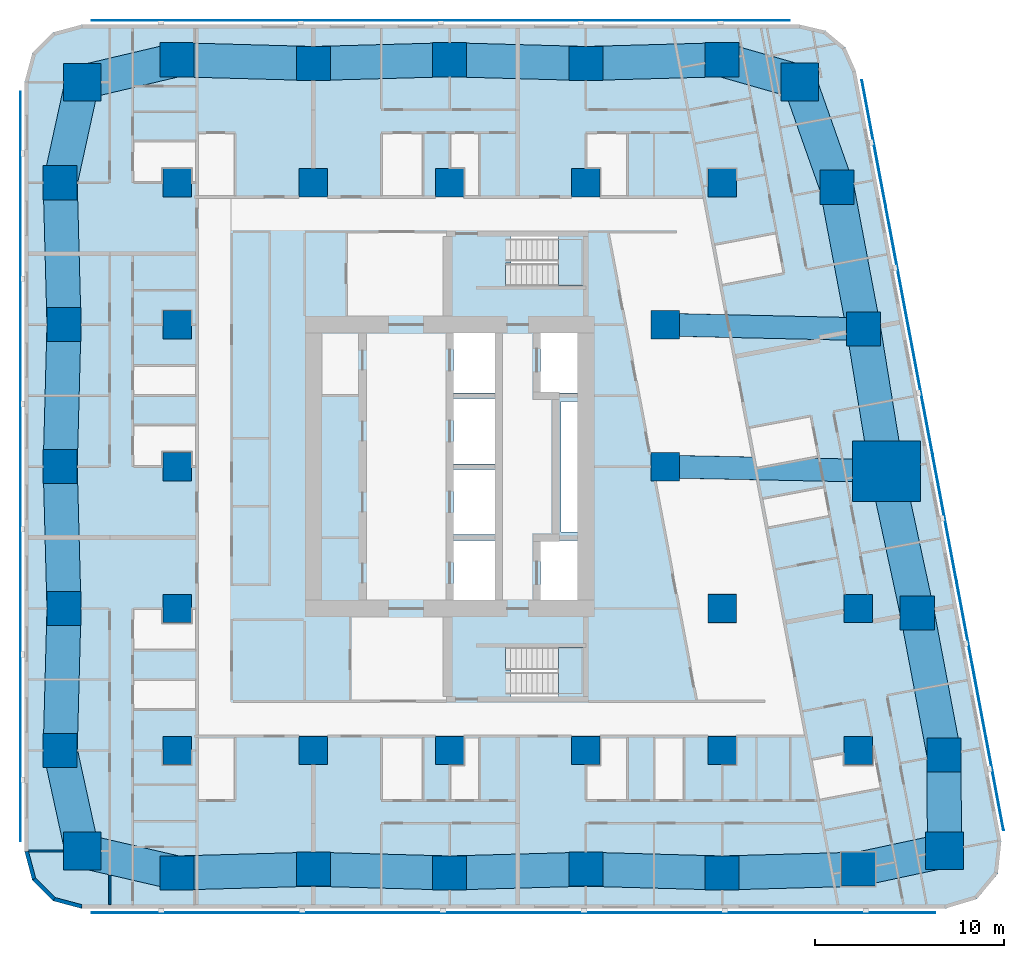
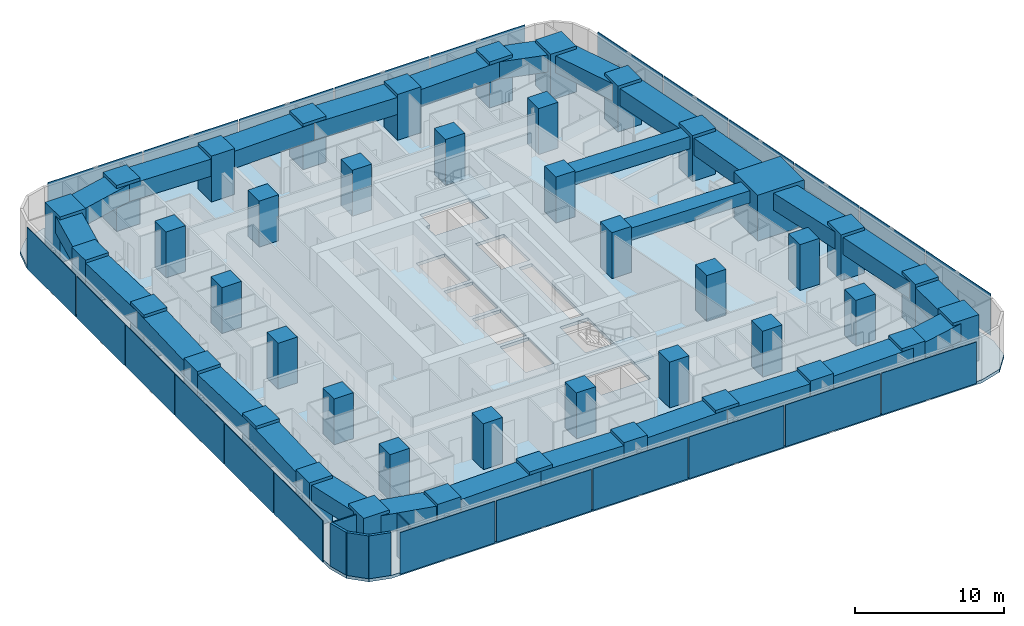
# One storey, part 1 of 15: 43 columns, 27 beams, 23 plates, 5 walls, 3 slabs, 2 elements without a shape of their own.
"""IFC4 building model written with IfcOpenShell, lengths in metres."""

from ifc_helpers import new_model, si_unit, direction, frame, frame_2d, origin, origin_2d, place, context, subcontext, project, spatial, polyline, rectangle, outline, extrude, material, layer, layer_set, material_profile, profile_set, type_object, element, aggregate, save


model = new_model("IFC4")

# Units and contexts
model_context = context("Model", 3, precision=1e-05, world=origin(), true_north=direction((0.0, 1.0)))
body_context = subcontext(model_context, "Body", "Model", "MODEL_VIEW")
ifc_project = project(units=[si_unit("LENGTHUNIT", "METRE"), si_unit("AREAUNIT", "SQUARE_METRE"), si_unit("VOLUMEUNIT", "CUBIC_METRE"), si_unit("PLANEANGLEUNIT", "RADIAN"), si_unit("MASSUNIT", "GRAM", prefix="KILO")], contexts=[model_context])

# Site, building, storey
site_placement = place(None, origin())
site = spatial("IfcSite", under=ifc_project, at=site_placement, CompositionType="ELEMENT")
building_placement = place(site_placement, origin())
building = spatial("IfcBuilding", under=site, at=building_placement, Name="Sheger Commons Tower", CompositionType="ELEMENT")
storey_placement = place(building_placement, frame((0.0, 0.0, 147.050048828125)))
storey = spatial("IfcBuildingStorey", under=building, at=storey_placement, Name="L37", CompositionType="ELEMENT", Elevation=147.050048828125)

# Columns
ifc_material_1 = material(Name="Concrete C50/60", Category="concrete")
ifc_material_profile_1 = material_profile(ifc_material_1, rectangle(XDim=3.60009765625, YDim=3.199951171875, at=origin_2d()), Name="RC 3600x3200")
ifc_profile_set_1 = profile_set([ifc_material_profile_1], Name="Concrete C50/60")
column_type_1 = type_object("IfcColumnType", Name="COLUMN PIER RC 3600x3200", PredefinedType="COLUMN", material=ifc_profile_set_1)
column_placement = place(storey_placement, frame((44.697021484375, 22.262939453125, 0.0), z_axis=(0.0, 0.0, 1.0), x_axis=(1.0, 0.0, 0.0)))
element("IfcColumn", 1, at=column_placement, inside=storey, type_object=column_type_1, Name="Pier 7/D+E/D L37", PredefinedType="COLUMN", context=body_context, shape_type="SweptSolid", body=[
    extrude(rectangle(XDim=3.60009765625, YDim=3.199951171875, at=origin_2d()), origin(), (0.0, 0.0, 1.0), 3.75),
])
ifc_material_2 = material(Name="Concrete C50/60", Category="concrete")
ifc_material_profile_2 = material_profile(ifc_material_2, rectangle(XDim=1.5, YDim=1.5, at=origin_2d()), Name="RC 1500x1500")
ifc_profile_set_2 = profile_set([ifc_material_profile_2], Name="Concrete C50/60")
column_type_2 = type_object("IfcColumnType", Name="COLUMN RC 1500x1500", PredefinedType="COLUMN", material=ifc_profile_set_2)
for number, where, z_axis, x_axis, name in (
    (2, (7.199951171875, 7.5, 0.0), (0.0, 0.0, 1.0), (1.0, 0.0, 0.0), "Column 2/B L37"),
    (3, (14.39990234375, 7.5, 0.0), (0.0, 0.0, 1.0), (1.0, 0.0, 0.0), "Column 3/B L37"),
    (4, (21.60009765625, 7.5, 0.0), (0.0, 0.0, 1.0), (1.0, 0.0, 0.0), "Column 4/B L37"),
    (5, (28.800048828125, 7.5, 0.0), (0.0, 0.0, 1.0), (1.0, 0.0, 0.0), "Column 5/B L37"),
    (6, (36.0, 7.5, 0.0), (0.0, 0.0, 1.0), (1.0, 0.0, 0.0), "Column 6/B L37"),
    (7, (43.199951171875, 7.5, 0.0), (0.0, 0.0, 1.0), (1.0, 0.0, 0.0), "Column 7/B L37"),
    (8, (7.199951171875, 15.0, 0.0), (0.0, 0.0, 1.0), (1.0, 0.0, 0.0), "Column 2/C L37"),
    (9, (36.0, 15.0, 0.0), (0.0, 0.0, 1.0), (1.0, 0.0, 0.0), "Column 6/C L37"),
    (10, (43.199951171875, 15.0, 0.0), (0.0, 0.0, 1.0), (1.0, 0.0, 0.0), "Column 7/C L37"),
    (11, (7.199951171875, 22.5, 0.0), (0.0, 0.0, 1.0), (1.0, 0.0, 0.0), "Column 2/D L37"),
    (12, (33.0, 22.5, 0.0), (0.0, 0.0, 1.0), (1.0, 0.0, 0.0), "Column 6-3000/D L37"),
    (13, (7.199951171875, 30.0, 0.0), (0.0, 0.0, 1.0), (1.0, 0.0, 0.0), "Column 2/E L37"),
    (14, (33.0, 30.0, 0.0), (0.0, 0.0, 1.0), (1.0, 0.0, 0.0), "Column 6-3000/E L37"),
    (15, (7.199951171875, 37.5, 0.0), (0.0, 0.0, 1.0), (1.0, 0.0, 0.0), "Column 2/F L37"),
    (16, (14.39990234375, 37.5, 0.0), (0.0, 0.0, 1.0), (1.0, 0.0, 0.0), "Column 3/F L37"),
    (17, (21.60009765625, 37.5, 0.0), (0.0, 0.0, 1.0), (1.0, 0.0, 0.0), "Column 4/F L37"),
    (18, (28.800048828125, 37.5, 0.0), (0.0, 0.0, 1.0), (1.0, 0.0, 0.0), "Column 5/F L37"),
    (19, (36.0, 37.5, 0.0), (0.0, 0.0, 1.0), (1.0, 0.0, 0.0), "Column 6/F L37"),
):
    element("IfcColumn", number, at=place(storey_placement, frame(where, z_axis=z_axis, x_axis=x_axis)), inside=storey, type_object=column_type_2, Name=name, PredefinedType="COLUMN", context=body_context, shape_type="SweptSolid", body=[
        extrude(rectangle(XDim=1.5, YDim=1.5, at=origin_2d()), origin(), (0.0, 0.0, 1.0), 3.75),
    ])
ifc_material_3 = material(Name="Concrete C50/60", Category="concrete")
ifc_material_profile_3 = material_profile(ifc_material_3, rectangle(XDim=1.800048828125, YDim=1.800048828125, at=origin_2d()), Name="RC 1800x1800")
ifc_profile_set_3 = profile_set([ifc_material_profile_3], Name="Concrete C50/60")
column_type_3 = type_object("IfcColumnType", Name="COLUMN RC 1800x1800", PredefinedType="COLUMN", material=ifc_profile_set_3)
for number, where, z_axis, x_axis, name in (
    (20, (7.199951171875, 1.02490234375, 0.0), (0.0, 0.0, 1.0), (1.0, 0.0, 0.0), "Column 2/A L37"),
    (21, (14.39990234375, 1.22509765625, 0.0), (0.0, 0.0, 1.0), (1.0, 0.0, 0.0), "Column 3/A L37"),
    (22, (21.60009765625, 1.02490234375, 0.0), (0.0, 0.0, 1.0), (1.0, 0.0, 0.0), "Column 4/A L37"),
    (23, (28.800048828125, 1.22509765625, 0.0), (0.0, 0.0, 1.0), (1.0, 0.0, 0.0), "Column 5/A L37"),
    (24, (36.0, 1.02490234375, 0.0), (0.0, 0.0, 1.0), (1.0, 0.0, 0.0), "Column 6/A L37"),
    (25, (43.199951171875, 1.22509765625, 0.0), (0.0, 0.0, 1.0), (1.0, 0.0, 0.0), "Column 7/A L37"),
    (26, (1.02490234375, 7.5, 0.0), (0.0, 0.0, 1.0), (1.0, 0.0, 0.0), "Column 1/B L37"),
    (27, (47.72998046875, 7.262939453125, 0.0), (0.0, 0.0, 1.0), (1.0, 0.0, 0.0), "Column E/B L37"),
    (28, (1.22509765625, 15.0, 0.0), (0.0, 0.0, 1.0), (1.0, 0.0, 0.0), "Column 1/C L37"),
    (29, (46.31396484375, 14.762939453125, 0.0), (0.0, 0.0, 1.0), (1.0, 0.0, 0.0), "Column E/C L37"),
    (30, (1.02490234375, 22.5, 0.0), (0.0, 0.0, 1.0), (1.0, 0.0, 0.0), "Column 1/D L37"),
    (31, (1.22509765625, 30.0, 0.0), (0.0, 0.0, 1.0), (1.0, 0.0, 0.0), "Column 1/E L37"),
    (32, (43.47998046875, 29.762939453125, 0.0), (0.0, 0.0, 1.0), (1.0, 0.0, 0.0), "Column E/E L37"),
    (33, (1.02490234375, 37.5, 0.0), (0.0, 0.0, 1.0), (1.0, 0.0, 0.0), "Column 1/F L37"),
    (34, (42.06396484375, 37.262939453125, 0.0), (0.0, 0.0, 1.0), (1.0, 0.0, 0.0), "Column E/F L37"),
    (35, (7.199951171875, 44.0, 0.0), (0.0, 0.0, 1.0), (1.0, 0.0, 0.0), "Column 2/G L37"),
    (36, (14.39990234375, 43.800048828125, 0.0), (0.0, 0.0, 1.0), (1.0, 0.0, 0.0), "Column 3/G L37"),
    (37, (21.60009765625, 44.0, 0.0), (0.0, 0.0, 1.0), (1.0, 0.0, 0.0), "Column 4/G L37"),
    (38, (28.800048828125, 43.800048828125, 0.0), (0.0, 0.0, 1.0), (1.0, 0.0, 0.0), "Column 5/G L37"),
    (39, (36.0, 44.0, 0.0), (0.0, 0.0, 1.0), (1.0, 0.0, 0.0), "Column 6/G L37"),
):
    element("IfcColumn", number, at=place(storey_placement, frame(where, z_axis=z_axis, x_axis=x_axis)), inside=storey, type_object=column_type_3, Name=name, PredefinedType="COLUMN", context=body_context, shape_type="SweptSolid", body=[
        extrude(rectangle(XDim=1.800048828125, YDim=1.800048828125, at=origin_2d()), origin(), (0.0, 0.0, 1.0), 3.75),
    ])
ifc_material_4 = material(Name="Concrete C50/60", Category="concrete")
ifc_material_profile_4 = material_profile(ifc_material_4, rectangle(XDim=2.0, YDim=2.0, at=origin_2d()), Name="RC 2000x2000")
ifc_profile_set_4 = profile_set([ifc_material_profile_4], Name="Concrete C50/60")
column_type_4 = type_object("IfcColumnType", Name="COLUMN RC 2000x2000", PredefinedType="COLUMN", material=ifc_profile_set_4)
for number, where, z_axis, x_axis, name in (
    (40, (2.18603515625, 2.18603515625, 0.0), (0.0, 0.0, 1.0), (1.0, 0.0, 0.0), "Column 0.630,0.630 L37"),
    (41, (47.748046875, 2.197021484375, 0.0), (0.0, 0.0, 1.0), (1.0, 0.0, 0.0), "Column 49.461,0.778 L37"),
    (42, (2.18603515625, 42.81396484375, 0.0), (0.0, 0.0, 1.0), (1.0, 0.0, 0.0), "Column 0.630,44.370 L37"),
    (43, (40.10205078125, 42.830078125, 0.0), (0.0, 0.0, 1.0), (1.0, 0.0, 0.0), "Column 41.490,44.505 L37"),
):
    element("IfcColumn", number, at=place(storey_placement, frame(where, z_axis=z_axis, x_axis=x_axis)), inside=storey, type_object=column_type_4, Name=name, PredefinedType="COLUMN", context=body_context, shape_type="SweptSolid", body=[
        extrude(rectangle(XDim=2.0, YDim=2.0, at=origin_2d()), origin(), (0.0, 0.0, 1.0), 3.75),
    ])

# Beams
ifc_material_5 = material(Name="Concrete C50/60", Category="concrete")
ifc_material_profile_5 = material_profile(ifc_material_5, rectangle(XDim=1.199951171875, YDim=1.0, at=origin_2d()), Name="RC 1200x1000")
ifc_profile_set_5 = profile_set([ifc_material_profile_5], Name="Concrete C50/60")
beam_type_1 = type_object("IfcBeamType", Name="BEAM RC 1200x1000", PredefinedType="BEAM", material=ifc_profile_set_5)
beam_1_placement = place(storey_placement, frame((33.0, 22.5, 3.0), z_axis=(0.999794692776, -0.02026258368, 0.0), x_axis=(0.02026258368, 0.999794692776, 0.0)))
element("IfcBeam", 44, at=beam_1_placement, inside=storey, type_object=beam_type_1, Name="Beam 6-3000/D-7/D under L38", PredefinedType="BEAM", context=body_context, shape_type="SweptSolid", body=[
    extrude(rectangle(XDim=1.199951171875, YDim=1.0, at=origin_2d()), origin(), (0.0, 0.0, 1.0), 11.699462890625),
])
beam_2_placement = place(storey_placement, frame((33.0, 30.0, 3.0), z_axis=(0.999744258625, -0.022614538395, 0.0), x_axis=(0.022614538395, 0.999744258625, 0.0)))
element("IfcBeam", 45, at=beam_2_placement, inside=storey, type_object=beam_type_1, Name="Beam 6-3000/E-E/E under L38", PredefinedType="BEAM", context=body_context, shape_type="SweptSolid", body=[
    extrude(rectangle(XDim=1.199951171875, YDim=1.0, at=origin_2d()), origin(), (0.0, 0.0, 1.0), 10.482666015625),
])
ifc_material_6 = material(Name="Concrete C50/60", Category="concrete")
ifc_material_profile_6 = material_profile(ifc_material_6, rectangle(XDim=1.800048828125, YDim=1.39990234375, at=origin_2d()), Name="RC 1800x1400")
ifc_profile_set_6 = profile_set([ifc_material_profile_6], Name="Concrete C50/60")
beam_type_2 = type_object("IfcBeamType", Name="SPANDREL RC 1800x1400", PredefinedType="SPANDREL", material=ifc_profile_set_6)
beam_3_placement = place(storey_placement, frame((2.18603515625, 2.18603515625, 2.800048828125), z_axis=(0.974217413499, -0.225611239159, 0.0), x_axis=(0.225611239159, 0.974217413499, 0.0)))
element("IfcBeam", 46, at=beam_3_placement, inside=storey, type_object=beam_type_2, Name="Beam 0.630,0.630-2/A under L38", PredefinedType="SPANDREL", context=body_context, shape_type="SweptSolid", body=[
    extrude(rectangle(XDim=1.800048828125, YDim=1.39990234375, at=origin_2d()), origin(), (0.0, 0.0, 1.0), 5.146728515625),
])
beam_4_placement = place(storey_placement, frame((7.199951171875, 1.02490234375, 2.800048828125), z_axis=(0.9996136624, 0.027794350926, 0.0), x_axis=(-0.027794350926, 0.9996136624, 0.0)))
element("IfcBeam", 47, at=beam_4_placement, inside=storey, type_object=beam_type_2, Name="Beam 2/A-3/A under L38", PredefinedType="SPANDREL", context=body_context, shape_type="SweptSolid", body=[
    extrude(rectangle(XDim=1.800048828125, YDim=1.39990234375, at=origin_2d()), origin(), (0.0, 0.0, 1.0), 7.20263671875),
])
beam_5_placement = place(storey_placement, frame((14.39990234375, 1.22509765625, 2.800048828125), z_axis=(0.999613688584, -0.027793409217, 0.0), x_axis=(0.027793409217, 0.999613688584, 0.0)))
element("IfcBeam", 48, at=beam_5_placement, inside=storey, type_object=beam_type_2, Name="Beam 3/A-4/A under L38", PredefinedType="SPANDREL", context=body_context, shape_type="SweptSolid", body=[
    extrude(rectangle(XDim=1.800048828125, YDim=1.39990234375, at=origin_2d()), origin(), (0.0, 0.0, 1.0), 7.202880859375),
])
for number, where, z_axis, x_axis, name in (
    (49, (21.60009765625, 1.02490234375, 2.800048828125), (0.9996136624, 0.027794350926, 0.0), (-0.027794350926, 0.9996136624, 0.0), "Beam 4/A-5/A under L38"),
    (50, (28.800048828125, 1.22509765625, 2.800048828125), (0.9996136624, -0.027794350926, 0.0), (0.027794350926, 0.9996136624, 0.0), "Beam 5/A-6/A under L38"),
    (51, (36.0, 1.02490234375, 2.800048828125), (0.9996136624, 0.027794350926, 0.0), (-0.027794350926, 0.9996136624, 0.0), "Beam 6/A-7/A under L38"),
):
    element("IfcBeam", number, at=place(storey_placement, frame(where, z_axis=z_axis, x_axis=x_axis)), inside=storey, type_object=beam_type_2, Name=name, PredefinedType="SPANDREL", context=body_context, shape_type="SweptSolid", body=[
        extrude(rectangle(XDim=1.800048828125, YDim=1.39990234375, at=origin_2d()), origin(), (0.0, 0.0, 1.0), 7.20263671875),
    ])
beam_6_placement = place(storey_placement, frame((43.199951171875, 1.22509765625, 2.800048828125), z_axis=(0.977919796671, 0.208980552394, 0.0), x_axis=(-0.208980552394, 0.977919796671, 0.0)))
element("IfcBeam", 52, at=beam_6_placement, inside=storey, type_object=beam_type_2, Name="Beam 7/A-49.461,0.778 under L38", PredefinedType="SPANDREL", context=body_context, shape_type="SweptSolid", body=[
    extrude(rectangle(XDim=1.800048828125, YDim=1.39990234375, at=origin_2d()), origin(), (0.0, 0.0, 1.0), 4.65087890625),
])
beam_7_placement = place(storey_placement, frame((47.748046875, 2.197021484375, 2.800048828125), z_axis=(-0.003566242382, 0.999993640937, 0.0), x_axis=(-0.999993640937, -0.003566242382, 0.0)))
element("IfcBeam", 53, at=beam_7_placement, inside=storey, type_object=beam_type_2, Name="Beam 49.461,0.778-E/B under L38", PredefinedType="SPANDREL", context=body_context, shape_type="SweptSolid", body=[
    extrude(rectangle(XDim=1.800048828125, YDim=1.39990234375, at=origin_2d()), origin(), (0.0, 0.0, 1.0), 5.06591796875),
])
beam_8_placement = place(storey_placement, frame((47.72998046875, 7.262939453125, 2.800048828125), z_axis=(-0.18552441405, 0.982639655108, 0.0), x_axis=(-0.982639655108, -0.18552441405, 0.0)))
element("IfcBeam", 54, at=beam_8_placement, inside=storey, type_object=beam_type_2, Name="Beam E/B-E/C under L38", PredefinedType="SPANDREL", context=body_context, shape_type="SweptSolid", body=[
    extrude(rectangle(XDim=1.800048828125, YDim=1.39990234375, at=origin_2d()), origin(), (0.0, 0.0, 1.0), 7.632568359375),
])
beam_9_placement = place(storey_placement, frame((46.31396484375, 14.762939453125, 2.800048828125), z_axis=(-0.210750229323, 0.977539943348, 0.0), x_axis=(-0.977539943348, -0.210750229323, 0.0)))
element("IfcBeam", 55, at=beam_9_placement, inside=storey, type_object=beam_type_2, Name="Beam E/C-E/D under L38", PredefinedType="SPANDREL", context=body_context, shape_type="SweptSolid", body=[
    extrude(rectangle(XDim=1.800048828125, YDim=1.39990234375, at=origin_2d()), origin(), (0.0, 0.0, 1.0), 7.67236328125),
])
beam_10_placement = place(storey_placement, frame((44.697021484375, 22.262939453125, 2.800048828125), z_axis=(-0.160176929512, 0.987088319884, 0.0), x_axis=(-0.987088319884, -0.160176929512, 0.0)))
element("IfcBeam", 56, at=beam_10_placement, inside=storey, type_object=beam_type_2, Name="Beam E/D-E/E under L38", PredefinedType="SPANDREL", context=body_context, shape_type="SweptSolid", body=[
    extrude(rectangle(XDim=1.800048828125, YDim=1.39990234375, at=origin_2d()), origin(), (0.0, 0.0, 1.0), 7.59814453125),
])
beam_11_placement = place(storey_placement, frame((43.47998046875, 29.762939453125, 2.800048828125), z_axis=(-0.18552441405, 0.982639655108, 0.0), x_axis=(-0.982639655108, -0.18552441405, 0.0)))
element("IfcBeam", 57, at=beam_11_placement, inside=storey, type_object=beam_type_2, Name="Beam E/E-E/F under L38", PredefinedType="SPANDREL", context=body_context, shape_type="SweptSolid", body=[
    extrude(rectangle(XDim=1.800048828125, YDim=1.39990234375, at=origin_2d()), origin(), (0.0, 0.0, 1.0), 7.632568359375),
])
beam_12_placement = place(storey_placement, frame((42.06396484375, 37.262939453125, 2.800048828125), z_axis=(-0.332374403357, 0.943147526102, 0.0), x_axis=(-0.943147526102, -0.332374403357, 0.0)))
element("IfcBeam", 58, at=beam_12_placement, inside=storey, type_object=beam_type_2, Name="Beam E/F-41.490,44.505 under L38", PredefinedType="SPANDREL", context=body_context, shape_type="SweptSolid", body=[
    extrude(rectangle(XDim=1.800048828125, YDim=1.39990234375, at=origin_2d()), origin(), (0.0, 0.0, 1.0), 5.90283203125),
])
beam_13_placement = place(storey_placement, frame((40.10205078125, 42.830078125, 2.800048828125), z_axis=(-0.961653428129, 0.274267541221, 0.0), x_axis=(-0.274267541221, -0.961653428129, 0.0)))
element("IfcBeam", 59, at=beam_13_placement, inside=storey, type_object=beam_type_2, Name="Beam 41.490,44.505-6/G under L38", PredefinedType="SPANDREL", context=body_context, shape_type="SweptSolid", body=[
    extrude(rectangle(XDim=1.800048828125, YDim=1.39990234375, at=origin_2d()), origin(), (0.0, 0.0, 1.0), 4.265625),
])
for number, where, z_axis, x_axis, name in (
    (60, (36.0, 44.0, 2.800048828125), (-0.999614603568, -0.027760481514, 0.0), (0.027760481514, -0.999614603568, 0.0), "Beam 6/G-5/G under L38"),
    (61, (28.800048828125, 43.800048828125, 2.800048828125), (-0.999614603568, 0.027760481514, 0.0), (-0.027760481514, -0.999614603568, 0.0), "Beam 5/G-4/G under L38"),
):
    element("IfcBeam", number, at=place(storey_placement, frame(where, z_axis=z_axis, x_axis=x_axis)), inside=storey, type_object=beam_type_2, Name=name, PredefinedType="SPANDREL", context=body_context, shape_type="SweptSolid", body=[
        extrude(rectangle(XDim=1.800048828125, YDim=1.39990234375, at=origin_2d()), origin(), (0.0, 0.0, 1.0), 7.20263671875),
    ])
beam_14_placement = place(storey_placement, frame((21.60009765625, 44.0, 2.800048828125), z_axis=(-0.999614629688, -0.027759540951, 0.0), x_axis=(0.027759540951, -0.999614629688, 0.0)))
element("IfcBeam", 62, at=beam_14_placement, inside=storey, type_object=beam_type_2, Name="Beam 4/G-3/G under L38", PredefinedType="SPANDREL", context=body_context, shape_type="SweptSolid", body=[
    extrude(rectangle(XDim=1.800048828125, YDim=1.39990234375, at=origin_2d()), origin(), (0.0, 0.0, 1.0), 7.202880859375),
])
beam_15_placement = place(storey_placement, frame((14.39990234375, 43.800048828125, 2.800048828125), z_axis=(-0.999614603568, 0.027760481514, 0.0), x_axis=(-0.027760481514, -0.999614603568, 0.0)))
element("IfcBeam", 63, at=beam_15_placement, inside=storey, type_object=beam_type_2, Name="Beam 3/G-2/G under L38", PredefinedType="SPANDREL", context=body_context, shape_type="SweptSolid", body=[
    extrude(rectangle(XDim=1.800048828125, YDim=1.39990234375, at=origin_2d()), origin(), (0.0, 0.0, 1.0), 7.20263671875),
])
beam_16_placement = place(storey_placement, frame((7.199951171875, 44.0, 2.800048828125), z_axis=(-0.97314428949, -0.230195985701, 0.0), x_axis=(0.230195985701, -0.97314428949, 0.0)))
element("IfcBeam", 64, at=beam_16_placement, inside=storey, type_object=beam_type_2, Name="Beam 2/G-0.630,44.370 under L38", PredefinedType="SPANDREL", context=body_context, shape_type="SweptSolid", body=[
    extrude(rectangle(XDim=1.800048828125, YDim=1.39990234375, at=origin_2d()), origin(), (0.0, 0.0, 1.0), 5.15234375),
])
beam_17_placement = place(storey_placement, frame((2.18603515625, 42.81396484375, 2.800048828125), z_axis=(-0.213469314652, -0.976949769283, 0.0), x_axis=(0.976949769283, -0.213469314652, 0.0)))
element("IfcBeam", 65, at=beam_17_placement, inside=storey, type_object=beam_type_2, Name="Beam 0.630,44.370-1/F under L38", PredefinedType="SPANDREL", context=body_context, shape_type="SweptSolid", body=[
    extrude(rectangle(XDim=1.800048828125, YDim=1.39990234375, at=origin_2d()), origin(), (0.0, 0.0, 1.0), 5.439453125),
])
for number, where, z_axis, x_axis, name in (
    (66, (1.02490234375, 37.5, 2.800048828125), (0.026683204125, -0.999643939919, 0.0), (0.999643939919, 0.026683204125, 0.0), "Beam 1/F-1/E under L38"),
    (67, (1.22509765625, 30.0, 2.800048828125), (-0.026683204125, -0.999643939919, 0.0), (0.999643939919, -0.026683204125, 0.0), "Beam 1/E-1/D under L38"),
    (68, (1.02490234375, 22.5, 2.800048828125), (0.026683204125, -0.999643939919, 0.0), (0.999643939919, 0.026683204125, 0.0), "Beam 1/D-1/C under L38"),
    (69, (1.22509765625, 15.0, 2.800048828125), (-0.026683204125, -0.999643939919, 0.0), (0.999643939919, -0.026683204125, 0.0), "Beam 1/C-1/B under L38"),
):
    element("IfcBeam", number, at=place(storey_placement, frame(where, z_axis=z_axis, x_axis=x_axis)), inside=storey, type_object=beam_type_2, Name=name, PredefinedType="SPANDREL", context=body_context, shape_type="SweptSolid", body=[
        extrude(rectangle(XDim=1.800048828125, YDim=1.39990234375, at=origin_2d()), origin(), (0.0, 0.0, 1.0), 7.502685546875),
    ])
beam_18_placement = place(storey_placement, frame((1.02490234375, 7.5, 2.800048828125), z_axis=(0.213469314652, -0.976949769283, 0.0), x_axis=(0.976949769283, 0.213469314652, 0.0)))
element("IfcBeam", 70, at=beam_18_placement, inside=storey, type_object=beam_type_2, Name="Beam 1/B-0.630,0.630 under L38", PredefinedType="SPANDREL", context=body_context, shape_type="SweptSolid", body=[
    extrude(rectangle(XDim=1.800048828125, YDim=1.39990234375, at=origin_2d()), origin(), (0.0, 0.0, 1.0), 5.439453125),
])

# Slab
ifc_material_7 = material(Name="Concrete C35/45", Category="concrete")
ifc_layer_1 = layer(ifc_material_7, 0.25)
ifc_layer_set_1 = layer_set([ifc_layer_1], Name="SLAB FLOOR 250")
slab_type_1 = type_object("IfcSlabType", Name="SLAB FLOOR 250", PredefinedType="FLOOR", material=ifc_layer_set_1)
slab_1_placement = place(storey_placement, frame((0.0, 0.0, -0.25)))
element("IfcSlab", 71, at=slab_1_placement, inside=storey, type_object=slab_type_1, Name="L37 floor slab", PredefinedType="FLOOR", context=body_context, shape_type="SweptSolid", body=[
    extrude(outline(polyline([(-0.85009765625, 2.14990234375), (-0.447998046875, 0.64990234375), (0.64990234375, -0.447998046875), (2.14990234375, -0.85009765625), (47.805908203125, -0.85009765625), (49.465087890625, -0.35009765625), (50.570068359375, 0.98388671875), (50.75390625, 2.70703125), (43.06591796875, 43.406982421875), (42.509033203125, 44.660888671875), (41.452880859375, 45.535888671875), (40.117919921875, 45.85009765625), (2.14990234375, 45.85009765625), (0.64990234375, 45.447998046875), (-0.447998046875, 44.35009765625), (-0.85009765625, 42.85009765625), (-0.85009765625, 2.14990234375)]), holes=[polyline([(24.85009765625, 10.35009765625), (28.64990234375, 10.35009765625), (28.64990234375, 12.949951171875), (24.551025390625, 12.949951171875), (24.551025390625, 11.75), (24.85009765625, 11.75), (24.85009765625, 10.35009765625)]), polyline([(24.551025390625, 32.050048828125), (28.64990234375, 32.050048828125), (28.64990234375, 34.64990234375), (24.85009765625, 34.64990234375), (24.85009765625, 33.25), (24.551025390625, 33.25), (24.551025390625, 32.050048828125)]), polyline([(26.39990234375, 15.14990234375), (28.60009765625, 15.14990234375), (28.60009765625, 18.60009765625), (26.39990234375, 18.60009765625), (26.39990234375, 15.14990234375)]), polyline([(26.39990234375, 26.39990234375), (28.60009765625, 26.39990234375), (28.60009765625, 29.85009765625), (26.39990234375, 29.85009765625), (26.39990234375, 26.39990234375)]), polyline([(21.800048828125, 15.14990234375), (24.0, 15.14990234375), (24.0, 18.60009765625), (21.800048828125, 18.60009765625), (21.800048828125, 15.14990234375)]), polyline([(21.800048828125, 18.89990234375), (24.0, 18.89990234375), (24.0, 22.35009765625), (21.800048828125, 22.35009765625), (21.800048828125, 18.89990234375)]), polyline([(21.800048828125, 22.64990234375), (24.0, 22.64990234375), (24.0, 26.10009765625), (21.800048828125, 26.10009765625), (21.800048828125, 22.64990234375)]), polyline([(21.800048828125, 26.39990234375), (24.0, 26.39990234375), (24.0, 29.85009765625), (21.800048828125, 29.85009765625), (21.800048828125, 26.39990234375)]), polyline([(27.5, 19.050048828125), (28.5, 19.050048828125), (28.5, 25.949951171875), (27.5, 25.949951171875), (27.5, 19.050048828125)])]), origin(), (0.0, 0.0, 1.0), 0.25),
])

# Plates
ifc_material_8 = material(Name="Perforated black anodised aluminium screen", Category="aluminium")
ifc_layer_2 = layer(ifc_material_8, 0.050048828125)
ifc_layer_set_2 = layer_set([ifc_layer_2], Name="SOLAR SCREEN SCREEN-1")
plate_type = type_object("IfcPlateType", Name="SOLAR SCREEN SCREEN-1", PredefinedType="USERDEFINED", material=ifc_layer_set_2)
for number, where, z_axis, x_axis, name in (
    (72, (6.37109375, -1.074951171875, 0.050048828125), (0.0, 0.0, 1.0), (1.0, 0.0, 0.0), "Perforated solar screen panel"),
    (73, (13.81396484375, -1.074951171875, 0.050048828125), (0.0, 0.0, 1.0), (1.0, 0.0, 0.0), "Perforated solar screen panel"),
    (74, (21.257080078125, -1.074951171875, 0.050048828125), (0.0, 0.0, 1.0), (1.0, 0.0, 0.0), "Perforated solar screen panel"),
    (75, (28.698974609375, -1.074951171875, 0.050048828125), (0.0, 0.0, 1.0), (1.0, 0.0, 0.0), "Perforated solar screen panel"),
    (76, (36.14208984375, -1.074951171875, 0.050048828125), (0.0, 0.0, 1.0), (1.0, 0.0, 0.0), "Perforated solar screen panel"),
    (77, (43.5849609375, -1.074951171875, 0.050048828125), (0.0, 0.0, 1.0), (1.0, 0.0, 0.0), "Perforated solar screen panel"),
):
    element("IfcPlate", number, at=place(storey_placement, frame(where, z_axis=z_axis, x_axis=x_axis)), inside=storey, type_object=plate_type, Name=name, ObjectType="SCREEN", PredefinedType="USERDEFINED", context=body_context, shape_type="SweptSolid", body=[
        extrude(rectangle(XDim=7.343017578125, YDim=0.050048828125, at=origin_2d()), origin(), (0.0, 0.0, 1.0), 3.39990234375),
    ])
for number, where, z_axis, x_axis, name in (
    (78, (50.257080078125, 6.550048828125, 0.050048828125), (0.0, 0.0, 1.0), (-0.185615165645, 0.982622516678, 0.0), "Perforated solar screen panel"),
    (79, (49.007080078125, 13.1689453125, 0.050048828125), (0.0, 0.0, 1.0), (-0.185615165645, 0.982622516678, 0.0), "Perforated solar screen panel"),
    (80, (47.756103515625, 19.7890625, 0.050048828125), (0.0, 0.0, 1.0), (-0.185615165645, 0.982622516678, 0.0), "Perforated solar screen panel"),
    (81, (46.506103515625, 26.408935546875, 0.050048828125), (0.0, 0.0, 1.0), (-0.185615165645, 0.982622516678, 0.0), "Perforated solar screen panel"),
    (82, (45.2548828125, 33.028076171875, 0.050048828125), (0.0, 0.0, 1.0), (-0.185615165645, 0.982622516678, 0.0), "Perforated solar screen panel"),
    (83, (44.0048828125, 39.64794921875, 0.050048828125), (0.0, 0.0, 1.0), (-0.185615165645, 0.982622516678, 0.0), "Perforated solar screen panel"),
):
    element("IfcPlate", number, at=place(storey_placement, frame(where, z_axis=z_axis, x_axis=x_axis)), inside=storey, type_object=plate_type, Name=name, ObjectType="SCREEN", PredefinedType="USERDEFINED", context=body_context, shape_type="SweptSolid", body=[
        extrude(rectangle(XDim=6.636962890625, YDim=0.050048828125, at=origin_2d()), origin(), (0.0, 0.0, 1.0), 3.39990234375),
    ])
for number, where, z_axis, x_axis, name in (
    (84, (35.9208984375, 46.074951171875, 0.050048828125), (0.0, 0.0, 1.0), (-1.0, 0.0, 0.0), "Perforated solar screen panel"),
    (85, (28.528076171875, 46.074951171875, 0.050048828125), (0.0, 0.0, 1.0), (-1.0, 0.0, 0.0), "Perforated solar screen panel"),
    (86, (21.134033203125, 46.074951171875, 0.050048828125), (0.0, 0.0, 1.0), (-1.0, 0.0, 0.0), "Perforated solar screen panel"),
    (87, (13.739990234375, 46.074951171875, 0.050048828125), (0.0, 0.0, 1.0), (-1.0, 0.0, 0.0), "Perforated solar screen panel"),
    (88, (6.346923828125, 46.074951171875, 0.050048828125), (0.0, 0.0, 1.0), (-1.0, 0.0, 0.0), "Perforated solar screen panel"),
):
    element("IfcPlate", number, at=place(storey_placement, frame(where, z_axis=z_axis, x_axis=x_axis)), inside=storey, type_object=plate_type, Name=name, ObjectType="SCREEN", PredefinedType="USERDEFINED", context=body_context, shape_type="SweptSolid", body=[
        extrude(rectangle(XDim=7.2939453125, YDim=0.050048828125, at=origin_2d()), origin(), (0.0, 0.0, 1.0), 3.39990234375),
    ])
for number, where, z_axis, x_axis, name in (
    (89, (-1.074951171875, 39.0419921875, 0.050048828125), (0.0, 0.0, 1.0), (0.0, -1.0, 0.0), "Perforated solar screen panel"),
    (90, (-1.074951171875, 32.425048828125, 0.050048828125), (0.0, 0.0, 1.0), (0.0, -1.0, 0.0), "Perforated solar screen panel"),
    (91, (-1.074951171875, 25.80810546875, 0.050048828125), (0.0, 0.0, 1.0), (0.0, -1.0, 0.0), "Perforated solar screen panel"),
    (92, (-1.074951171875, 19.19189453125, 0.050048828125), (0.0, 0.0, 1.0), (0.0, -1.0, 0.0), "Perforated solar screen panel"),
    (93, (-1.074951171875, 12.574951171875, 0.050048828125), (0.0, 0.0, 1.0), (0.0, -1.0, 0.0), "Perforated solar screen panel"),
    (94, (-1.074951171875, 5.9580078125, 0.050048828125), (0.0, 0.0, 1.0), (0.0, -1.0, 0.0), "Perforated solar screen panel"),
):
    element("IfcPlate", number, at=place(storey_placement, frame(where, z_axis=z_axis, x_axis=x_axis)), inside=storey, type_object=plate_type, Name=name, ObjectType="SCREEN", PredefinedType="USERDEFINED", context=body_context, shape_type="SweptSolid", body=[
        extrude(rectangle(XDim=6.51708984375, YDim=0.050048828125, at=origin_2d()), origin(), (0.0, 0.0, 1.0), 3.39990234375),
    ])

# Stair, slab
ifc_material_9 = material(Name="Concrete C35/45", Category="concrete")
stair_type = type_object("IfcStairType", Name="HALF-TURN STAIR 1200 RISE 3750", PredefinedType="HALF_TURN_STAIR", material=ifc_material_9)
stair_1_placement = place(storey_placement, origin())
stair_1 = element("IfcStair", 95, at=stair_1_placement, inside=storey, type_object=stair_type, Name="Stair S1 L37", PredefinedType="HALF_TURN_STAIR")
ifc_material_10 = material(Name="Concrete C35/45", Category="concrete")
ifc_layer_3 = layer(ifc_material_10, 0.199951171875)
ifc_layer_set_3 = layer_set([ifc_layer_3], Name="STAIR LANDING 200")
slab_type_2 = type_object("IfcSlabType", Name="STAIR LANDING 200", PredefinedType="LANDING", material=ifc_layer_set_3)
slab_2_placement = place(storey_placement, frame((0.0, 0.0, 1.675048828125)))
slab_2 = element("IfcSlab", 96, at=slab_2_placement, type_object=slab_type_2, Name="S1 landing 1", PredefinedType="LANDING", context=body_context, shape_type="SweptSolid", body=[
    extrude(outline(polyline([(27.35009765625, 10.199951171875), (28.800048828125, 10.199951171875), (28.800048828125, 12.949951171875), (27.35009765625, 12.949951171875), (27.35009765625, 10.199951171875)])), origin(), (0.0, 0.0, 1.0), 0.199951171875),
])
aggregate(stair_1, [slab_2])

stair_2_placement = place(storey_placement, origin())
stair_2 = element("IfcStair", 97, at=stair_2_placement, inside=storey, type_object=stair_type, Name="Stair S2 L37", PredefinedType="HALF_TURN_STAIR")
slab_3_placement = place(storey_placement, frame((0.0, 0.0, 1.675048828125)))
slab_3 = element("IfcSlab", 98, at=slab_3_placement, type_object=slab_type_2, Name="S2 landing 1", PredefinedType="LANDING", context=body_context, shape_type="SweptSolid", body=[
    extrude(outline(polyline([(27.35009765625, 32.050048828125), (28.800048828125, 32.050048828125), (28.800048828125, 34.800048828125), (27.35009765625, 34.800048828125), (27.35009765625, 32.050048828125)])), origin(), (0.0, 0.0, 1.0), 0.199951171875),
])
aggregate(stair_2, [slab_3])

# Walls
ifc_material_11 = material(Name="Rendered concrete block masonry, dark grey", Category="masonry")
ifc_layer_4 = layer(ifc_material_11, 0.199951171875)
ifc_layer_set_4 = layer_set([ifc_layer_4], Name="FACADE WALL 200")
wall_type_1 = type_object("IfcWallType", Name="FACADE WALL 200", PredefinedType="SOLIDWALL", material=ifc_layer_set_4)
wall_1_placement = place(storey_placement, frame((-0.75, 2.1630859375, 0.0), z_axis=(0.0, 0.0, 1.0), x_axis=(0.259168954497, -0.965832000415, 0.0)))
element("IfcWall", 99, at=wall_1_placement, inside=storey, type_object=wall_type_1, Name="Facade wall L37", PredefinedType="SOLIDWALL", context=body_context, shape_type="SweptSolid", body=[
    extrude(rectangle(XDim=1.512939453125, YDim=0.199951171875, at=frame_2d((0.75634765625, 0.0))), origin(), (0.0, 0.0, 1.0), 3.5),
])
wall_2_placement = place(storey_placement, frame((-0.35791015625, 0.701904296875, 0.0), z_axis=(0.0, 0.0, 1.0), x_axis=(0.707106781187, -0.707106781187, 0.0)))
element("IfcWall", 100, at=wall_2_placement, inside=storey, type_object=wall_type_1, Name="Facade wall L37", PredefinedType="SOLIDWALL", context=body_context, shape_type="SweptSolid", body=[
    extrude(rectangle(XDim=1.498779296875, YDim=0.199951171875, at=frame_2d((0.74951171875, 0.0))), origin(), (0.0, 0.0, 1.0), 3.5),
])
wall_3_placement = place(storey_placement, frame((0.701904296875, -0.35791015625, 0.0), z_axis=(0.0, 0.0, 1.0), x_axis=(0.965832000415, -0.259168954497, 0.0)))
element("IfcWall", 101, at=wall_3_placement, inside=storey, type_object=wall_type_1, Name="Facade wall L37", PredefinedType="SOLIDWALL", context=body_context, shape_type="SweptSolid", body=[
    extrude(rectangle(XDim=1.512939453125, YDim=0.199951171875, at=frame_2d((0.75634765625, 0.0))), origin(), (0.0, 0.0, 1.0), 3.5),
])
ifc_material_12 = material(Name="Gypsum board on steel studs", Category="steel")
ifc_layer_5 = layer(ifc_material_12, 0.10009765625)
ifc_layer_set_5 = layer_set([ifc_layer_5], Name="PARTITION 100")
wall_type_2 = type_object("IfcWallType", Name="PARTITION 100", PredefinedType="PARTITIONING", material=ifc_layer_set_5)
wall_4_placement = place(storey_placement, frame((3.64990234375, -0.64990234375, 0.0), z_axis=(0.0, 0.0, 1.0), x_axis=(0.0, 1.0, 0.0)))
element("IfcWall", 102, at=wall_4_placement, inside=storey, type_object=wall_type_2, Name="Partition L37", PredefinedType="PARTITIONING", context=body_context, shape_type="SweptSolid", body=[
    extrude(rectangle(XDim=1.56201171875, YDim=0.10009765625, at=frame_2d((0.781005859375, 0.0))), origin(), (0.0, 0.0, 1.0), 3.5),
])
wall_5_placement = place(storey_placement, frame((-0.64990234375, 2.18603515625, 0.0), z_axis=(0.0, 0.0, 1.0), x_axis=(1.0, 0.0, 0.0)))
element("IfcWall", 103, at=wall_5_placement, inside=storey, type_object=wall_type_2, Name="Partition L37", PredefinedType="PARTITIONING", context=body_context, shape_type="SweptSolid", body=[
    extrude(rectangle(XDim=1.8349609375, YDim=0.10009765625, at=frame_2d((0.91748046875, 0.0))), origin(), (0.0, 0.0, 1.0), 3.5),
])

save(model, "model.ifc")
